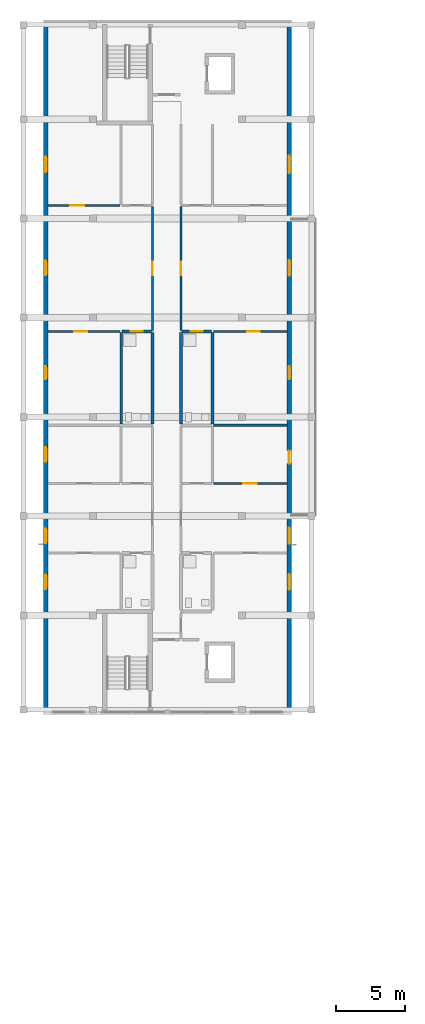
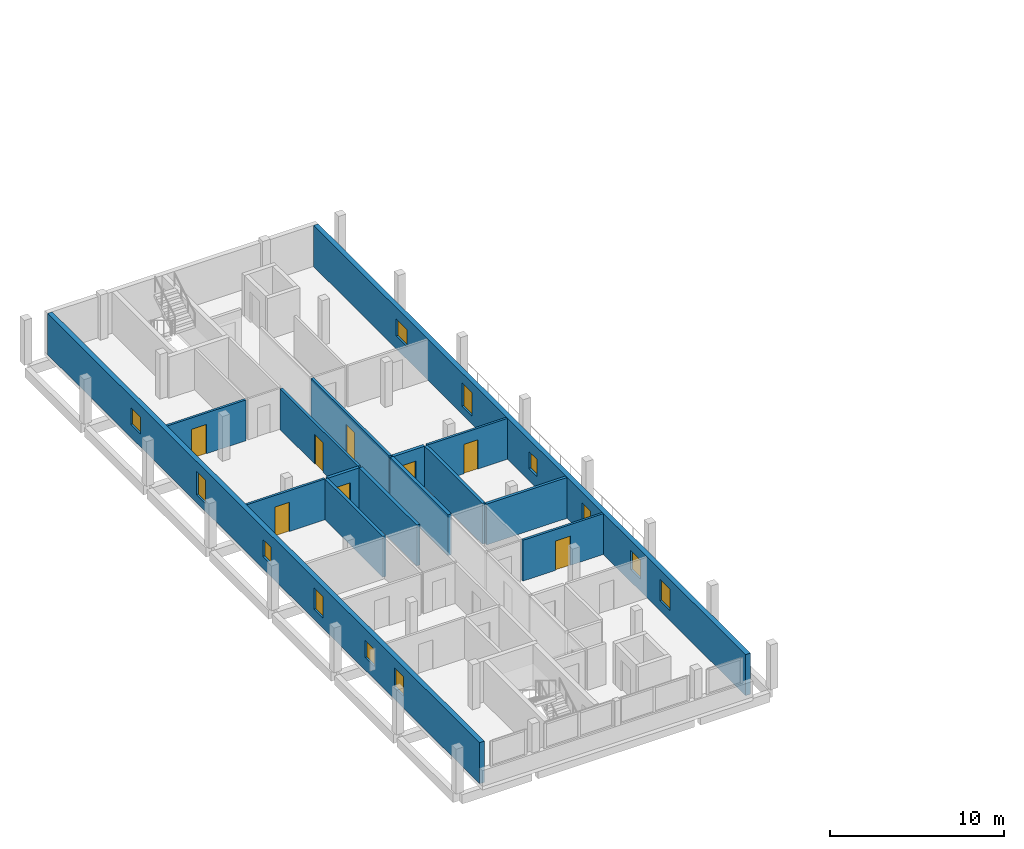
# One storey, part 6 of 16: 15 walls, 11 windows, 9 doors, 20 openings.
"""IFC4 building model written with IfcOpenShell, lengths in metres."""

import ifcopenshell
import ifcopenshell.guid

model = None  # the IFC model being written
_history = None  # IfcOwnerHistory: only IFC2X3 demands one
_inside = {}  # id of a spatial element -> (the spatial element, [elements in it])
_under = {}  # id of a project, library or spatial element -> (it, [spatial elements below it])
_declared = {}  # id of a project -> (the project, [libraries it declares])
_typed = {}  # id of a type object -> (the type object, [elements of that type])
_made_of = {}  # id of a material, layer set ... -> (it, [elements and type objects made of it])


def new_model(schema):
    """Start an empty IFC model of exactly this schema.

    Asked for "IFC4X3", IfcOpenShell would pick the latest addendum, in which some entities
    have other attributes; the version numbers below select the first issue.
    IFC2X3 requires an IfcOwnerHistory on every rooted entity: one is made here for all.
    """
    global model, _history
    if schema == "IFC4X3":
        model = ifcopenshell.file(schema_version=(4, 3, 0, 0))
    else:
        model = ifcopenshell.file(schema=schema)
    _inside.clear()
    _under.clear()
    _declared.clear()
    _typed.clear()
    _made_of.clear()
    _history = None
    if model.schema == "IFC2X3":
        org = make("IfcOrganization", Name="unknown")
        user = make(
            "IfcPersonAndOrganization",
            ThePerson=make("IfcPerson", FamilyName="unknown"),
            TheOrganization=org,
        )
        app = make(
            "IfcApplication",
            ApplicationDeveloper=org,
            Version="unknown",
            ApplicationFullName="unknown",
            ApplicationIdentifier="unknown",
        )
        _history = make(
            "IfcOwnerHistory",
            OwningUser=user,
            OwningApplication=app,
            ChangeAction="ADDED",
            CreationDate=0,
        )
    return model


def make(cls, **values):
    """One entity of the class cls with the attributes given. An attribute that is None is left unset."""
    return model.create_entity(
        cls, **{name: value for name, value in values.items() if value is not None}
    )


def rooted(cls, **values):
    """An entity with a GlobalId (a new one), such as an element, a storey or a relation."""
    return make(cls, GlobalId=ifcopenshell.guid.new(), OwnerHistory=_history, **values)


def si_unit(unit_type, name, prefix=None):
    """IfcSIUnit, for example si_unit("LENGTHUNIT", "METRE", prefix="MILLI")."""
    return make("IfcSIUnit", UnitType=unit_type, Prefix=prefix, Name=name)


def derived_unit(unit_type, elements):
    """IfcDerivedUnit: a product of units, each with its exponent."""
    return make(
        "IfcDerivedUnit",
        Elements=[
            make("IfcDerivedUnitElement", Unit=unit, Exponent=power)
            for unit, power in elements
        ],
        UnitType=unit_type,
    )


def assignment(units):
    """IfcUnitAssignment: the units of a project."""
    return None if units is None else make("IfcUnitAssignment", Units=units)


def point(xyz):
    """IfcCartesianPoint."""
    return None if xyz is None else make("IfcCartesianPoint", Coordinates=xyz)


def direction(xyz):
    """IfcDirection."""
    return None if xyz is None else make("IfcDirection", DirectionRatios=xyz)


def frame(location, z_axis=None, x_axis=None):
    """IfcAxis2Placement3D, a coordinate frame: its origin and axes. An axis left out is left unset."""
    return make(
        "IfcAxis2Placement3D",
        Location=point(location),
        Axis=direction(z_axis),
        RefDirection=direction(x_axis),
    )


def frame_2d(location, x_axis=None):
    """IfcAxis2Placement2D, a coordinate frame in the plane: its origin and x axis."""
    return make(
        "IfcAxis2Placement2D", Location=point(location), RefDirection=direction(x_axis)
    )


def origin():
    """The frame at (0, 0, 0) with its axes left unset."""
    return frame((0.0, 0.0, 0.0))


def place(relative_to, where):
    """IfcLocalPlacement: puts the frame where relative to a parent placement (None: the world)."""
    return make(
        "IfcLocalPlacement", PlacementRelTo=relative_to, RelativePlacement=where
    )


def context(
    kind, dimensions, precision=None, world=None, true_north=None, identifier=None
):
    """IfcGeometricRepresentationContext, for example the 3D "Model" context."""
    return make(
        "IfcGeometricRepresentationContext",
        ContextIdentifier=identifier,
        ContextType=kind,
        CoordinateSpaceDimension=dimensions,
        Precision=precision,
        WorldCoordinateSystem=world,
        TrueNorth=true_north,
    )


def subcontext(parent, identifier, kind, view, scale=None):
    """IfcGeometricRepresentationSubContext, for example "Body" below "Model"."""
    return make(
        "IfcGeometricRepresentationSubContext",
        ContextIdentifier=identifier,
        ContextType=kind,
        ParentContext=parent,
        TargetScale=scale,
        TargetView=view,
    )


def project(units=None, contexts=None):
    """IfcProject with its units and contexts."""
    return rooted(
        "IfcProject",
        Name="project",
        RepresentationContexts=contexts,
        UnitsInContext=assignment(units),
    )


def spatial(cls, under=None, at=None, **own):
    """A site, building, storey or space (cls), placed at a placement, below another one or the project."""
    s = rooted(cls, ObjectPlacement=at, **own)
    if under is not None:
        _under.setdefault(under.id(), (under, []))[1].append(s)
    return s


def profile(cls, at=None, kind="AREA", **sizes):
    """A parametric profile (cls). Its sizes go by their IFC names, for example OverallWidth=200.0."""
    return make(cls, ProfileType=kind, Position=at, **sizes)


def rectangle(**sizes):
    """IfcRectangleProfileDef."""
    return profile("IfcRectangleProfileDef", **sizes)


def extrude(swept, where, along, depth):
    """IfcExtrudedAreaSolid: the profile swept, set in the frame where, extruded along a direction by depth."""
    return make(
        "IfcExtrudedAreaSolid",
        SweptArea=swept,
        Position=where,
        ExtrudedDirection=direction(along),
        Depth=depth,
    )


def shape(context_of_items, identifier, shape_type, items):
    """IfcShapeRepresentation: the items that make up one representation, for example the "Body"."""
    return make(
        "IfcShapeRepresentation",
        ContextOfItems=context_of_items,
        RepresentationIdentifier=identifier,
        RepresentationType=shape_type,
        Items=items,
    )


def material(Name=None, Category=None):
    """IfcMaterial."""
    return make("IfcMaterial", Name=Name, Category=Category)


def layer(
    of_material, thickness, ventilated=None, Name=None, Category=None, Priority=None
):
    """IfcMaterialLayer: one layer of a wall or slab, of a material (None: an air gap)."""
    return make(
        "IfcMaterialLayer",
        Material=of_material,
        LayerThickness=thickness,
        IsVentilated=ventilated,
        Name=Name,
        Category=Category,
        Priority=Priority,
    )


def layer_set(layers, Name=None):
    """IfcMaterialLayerSet."""
    return make("IfcMaterialLayerSet", MaterialLayers=layers, LayerSetName=Name)


def made_of(thing, what):
    """Note that an element or type object is made of a material, layer set ...; save() writes the relation."""
    if what is not None:
        _made_of.setdefault(what.id(), (what, []))[1].append(thing)
    return thing


def type_object(cls, material=None, **own):
    """A type object (cls), such as IfcWallType, which elements share."""
    return made_of(rooted(cls, **own), material)


def element(
    cls,
    number,
    at=None,
    inside=None,
    cuts=None,
    type_object=None,
    material=None,
    context=None,
    identifier="Body",
    shape_type=None,
    held_by="IfcProductDefinitionShape",
    body=None,
    shapes=None,
    **own,
):
    """One element of the class cls, such as IfcWall. Its Tag is "e" and its number.

    at: its placement. inside: the storey or other place that contains it. cuts: it is an
    opening in that element (IfcRelVoidsElement). A single representation is given by context,
    identifier, shape_type and body (its items); several are given by shapes. held_by: the class
    of the entity that holds the representations. save() writes the other relations.
    """
    e = rooted(cls, Tag="e%d" % number, ObjectPlacement=at, **own)
    if body is not None:
        shapes = [shape(context, identifier, shape_type, body)]
    if shapes is not None:
        e.Representation = make(held_by, Representations=shapes)
    if inside is not None:
        _inside.setdefault(inside.id(), (inside, []))[1].append(e)
    if cuts is not None:
        rooted(
            "IfcRelVoidsElement", RelatingBuildingElement=cuts, RelatedOpeningElement=e
        )
    if type_object is not None:
        _typed.setdefault(type_object.id(), (type_object, []))[1].append(e)
    return made_of(e, material)


def fill(opening, filler):
    """IfcRelFillsElement: the door or window that sits in an opening."""
    return rooted(
        "IfcRelFillsElement",
        RelatingOpeningElement=opening,
        RelatedBuildingElement=filler,
    )


def aggregate(whole, parts):
    """IfcRelAggregates: a whole, such as a stair, and the parts it consists of."""
    return rooted("IfcRelAggregates", RelatingObject=whole, RelatedObjects=parts)


def save(model, path):
    """Write the relations noted so far, then the file.

    IfcRelAggregates (storeys below a building ...), IfcRelContainedInSpatialStructure (elements
    in a storey), IfcRelDefinesByType, IfcRelAssociatesMaterial and IfcRelDeclares: one each for
    every whole, place, type object, material and project.
    """
    for whole, parts in _under.values():
        aggregate(whole, parts)
    for where, things in _inside.values():
        rooted(
            "IfcRelContainedInSpatialStructure",
            RelatedElements=things,
            RelatingStructure=where,
        )
    for kind, things in _typed.values():
        rooted("IfcRelDefinesByType", RelatedObjects=things, RelatingType=kind)
    for what, things in _made_of.values():
        rooted("IfcRelAssociatesMaterial", RelatedObjects=things, RelatingMaterial=what)
    for by, libraries in _declared.values():
        rooted("IfcRelDeclares", RelatingContext=by, RelatedDefinitions=libraries)
    model.write(path)


model = new_model("IFC4")

# Units and contexts
model_context = context("Model", 3, precision=1e-05, world=origin(), true_north=direction((0.0, 1.0)))
body_context = subcontext(model_context, "Body", "Model", "MODEL_VIEW")
ifc_project = project(units=[si_unit("LENGTHUNIT", "METRE"), si_unit("AREAUNIT", "SQUARE_METRE"), si_unit("VOLUMEUNIT", "CUBIC_METRE"), si_unit("PLANEANGLEUNIT", "RADIAN"), si_unit("MASSUNIT", "GRAM", prefix="KILO"), derived_unit("THERMALTRANSMITTANCEUNIT", [(si_unit("MASSUNIT", "GRAM", prefix="KILO"), 1), (si_unit("TIMEUNIT", "SECOND"), -3), (si_unit("THERMODYNAMICTEMPERATUREUNIT", "KELVIN"), -1)])], contexts=[model_context])

# Site, building, storey
site_placement = place(None, origin())
site = spatial("IfcSite", under=ifc_project, at=site_placement, CompositionType="ELEMENT")
building_placement = place(site_placement, origin())
building = spatial("IfcBuilding", under=site, at=building_placement, Name="Ochrekiln Boulevard Commons", CompositionType="ELEMENT")
storey_placement = place(building_placement, frame((0.0, 0.0, 40.425048828125)))
storey = spatial("IfcBuildingStorey", under=building, at=storey_placement, Name="L12", CompositionType="ELEMENT", Elevation=40.425048828125)

# Wall, openings, windows
ifc_material_1 = material(Name="Desert ochre clinker brick masonry ASTM C216 Grade SW", Category="masonry")
ifc_layer_1 = layer(ifc_material_1, 0.320068359375)
ifc_layer_set_1 = layer_set([ifc_layer_1], Name="Desert ochre clinker brick masonry ASTM C216 Grade SW")
wall_type_1 = type_object("IfcWallType", Name="WL-EXT-OCHRE-320", PredefinedType="SOLIDWALL", material=ifc_layer_set_1)
wall_1_placement = place(storey_placement, frame((1.9599609375, 68.719970703125, 0.0), z_axis=(0.0, 0.0, 1.0), x_axis=(0.0, 1.0, 0.0)))
wall_1 = element("IfcWall", 1, at=wall_1_placement, inside=storey, type_object=wall_type_1, Name="Block A L12 W Exterior Wall", PredefinedType="SOLIDWALL", context=body_context, shape_type="SweptSolid", body=[
    extrude(rectangle(XDim=49.760009765625, YDim=0.320068359375, at=frame_2d((24.8798828125, 0.0))), origin(), (0.0, 0.0, 1.0), 2.889892578125),
])
opening_1_placement = place(wall_1_placement, frame((12.118896484375, 0.0, 0.89990234375)))
opening_1 = element("IfcOpeningElement", 2, at=opening_1_placement, cuts=wall_1, Name="Opening W-06", PredefinedType="OPENING", context=body_context, shape_type="SweptSolid", body=[
    extrude(rectangle(XDim=1.050048828125, YDim=1.199951171875, at=frame_2d((0.52490234375, 0.60009765625))), frame((0.0, 0.169921875, 0.0), z_axis=(0.0, -1.0, 0.0), x_axis=(1.0, 0.0, 0.0)), (0.0, 0.0, 1.0), 0.340087890625),
])
opening_2_placement = place(wall_1_placement, frame((8.77392578125, 0.0, 0.85498046875)))
opening_2 = element("IfcOpeningElement", 3, at=opening_2_placement, cuts=wall_1, Name="Opening W-07", PredefinedType="OPENING", context=body_context, shape_type="SweptSolid", body=[
    extrude(rectangle(XDim=1.050048828125, YDim=1.35009765625, at=frame_2d((0.52490234375, 0.675048828125))), frame((0.0, 0.169921875, 0.0), z_axis=(0.0, -1.0, 0.0), x_axis=(1.0, 0.0, 0.0)), (0.0, 0.0, 1.0), 0.340087890625),
])
opening_3_placement = place(wall_1_placement, frame((18.02197265625, 0.0, 0.705078125)))
opening_3 = element("IfcOpeningElement", 4, at=opening_3_placement, cuts=wall_1, Name="Opening W-08", PredefinedType="OPENING", context=body_context, shape_type="SweptSolid", body=[
    extrude(rectangle(XDim=1.050048828125, YDim=1.5, at=frame_2d((0.52490234375, 0.75))), frame((0.0, 0.169921875, 0.0), z_axis=(0.0, -1.0, 0.0), x_axis=(1.0, 0.0, 0.0)), (0.0, 0.0, 1.0), 0.340087890625),
])
opening_4_placement = place(wall_1_placement, frame((31.554931640625, 0.0, 0.554931640625)))
opening_4 = element("IfcOpeningElement", 5, at=opening_4_placement, cuts=wall_1, Name="Opening W-09", PredefinedType="OPENING", context=body_context, shape_type="SweptSolid", body=[
    extrude(rectangle(XDim=1.050048828125, YDim=1.64990234375, at=frame_2d((0.52490234375, 0.824951171875))), frame((0.0, 0.169921875, 0.0), z_axis=(0.0, -1.0, 0.0), x_axis=(1.0, 0.0, 0.0)), (0.0, 0.0, 1.0), 0.340087890625),
])
opening_5_placement = place(wall_1_placement, frame((24.001953125, 0.0, 0.85009765625)))
opening_5 = element("IfcOpeningElement", 6, at=opening_5_placement, cuts=wall_1, Name="Opening W-01", PredefinedType="OPENING", context=body_context, shape_type="SweptSolid", body=[
    extrude(rectangle(XDim=0.949951171875, YDim=1.199951171875, at=frame_2d((0.47509765625, 0.60009765625))), frame((0.0, 0.169921875, 0.0), z_axis=(0.0, -1.0, 0.0), x_axis=(1.0, 0.0, 0.0)), (0.0, 0.0, 1.0), 0.340087890625),
])
opening_6_placement = place(wall_1_placement, frame((39.02001953125, 0.0, 0.89990234375)))
opening_6 = element("IfcOpeningElement", 7, at=opening_6_placement, cuts=wall_1, Name="Opening W-11", PredefinedType="OPENING", context=body_context, shape_type="SweptSolid", body=[
    extrude(rectangle(XDim=1.14990234375, YDim=1.199951171875, at=frame_2d((0.574951171875, 0.60009765625))), frame((0.0, 0.169921875, 0.0), z_axis=(0.0, -1.0, 0.0), x_axis=(1.0, 0.0, 0.0)), (0.0, 0.0, 1.0), 0.340087890625),
])
ifc_material_2 = material(Name="Thermally broken aluminium-clad oak frame", Category="aluminium")
window_type_1 = type_object("IfcWindowType", Name="WIN-EXT-01", PartitioningType="SINGLE_PANEL", PredefinedType="WINDOW", material=ifc_material_2)
window_1_placement = place(opening_5_placement, origin())
window_1 = element("IfcWindow", 8, at=window_1_placement, inside=storey, type_object=window_type_1, Name="Block A L12 Punched Masonry Window W-01", OverallHeight=1.199951171875, OverallWidth=0.949951171875, PartitioningType="SINGLE_PANEL", PredefinedType="WINDOW", context=body_context, shape_type="SweptSolid", body=[
    extrude(rectangle(XDim=0.949951171875, YDim=1.199951171875, at=frame_2d((0.47509765625, 0.60009765625))), frame((0.0, 0.030029296875, 0.0), z_axis=(0.0, -1.0, 0.0), x_axis=(1.0, 0.0, 0.0)), (0.0, 0.0, 1.0), 0.06005859375),
])
fill(opening_5, window_1)
window_type_2 = type_object("IfcWindowType", Name="WIN-EXT-06", PartitioningType="SINGLE_PANEL", PredefinedType="WINDOW", material=ifc_material_2)
window_2_placement = place(opening_1_placement, origin())
window_2 = element("IfcWindow", 9, at=window_2_placement, inside=storey, type_object=window_type_2, Name="Block A L12 Punched Masonry Window W-06", OverallHeight=1.199951171875, OverallWidth=1.050048828125, PartitioningType="SINGLE_PANEL", PredefinedType="WINDOW", context=body_context, shape_type="SweptSolid", body=[
    extrude(rectangle(XDim=1.050048828125, YDim=1.199951171875, at=frame_2d((0.52490234375, 0.60009765625))), frame((0.0, 0.030029296875, 0.0), z_axis=(0.0, -1.0, 0.0), x_axis=(1.0, 0.0, 0.0)), (0.0, 0.0, 1.0), 0.06005859375),
])
fill(opening_1, window_2)
window_type_3 = type_object("IfcWindowType", Name="WIN-EXT-07", PartitioningType="SINGLE_PANEL", PredefinedType="WINDOW", material=ifc_material_2)
window_3_placement = place(opening_2_placement, origin())
window_3 = element("IfcWindow", 10, at=window_3_placement, inside=storey, type_object=window_type_3, Name="Block A L12 Punched Masonry Window W-07", OverallHeight=1.35009765625, OverallWidth=1.050048828125, PartitioningType="SINGLE_PANEL", PredefinedType="WINDOW", context=body_context, shape_type="SweptSolid", body=[
    extrude(rectangle(XDim=1.050048828125, YDim=1.35009765625, at=frame_2d((0.52490234375, 0.675048828125))), frame((0.0, 0.030029296875, 0.0), z_axis=(0.0, -1.0, 0.0), x_axis=(1.0, 0.0, 0.0)), (0.0, 0.0, 1.0), 0.06005859375),
])
fill(opening_2, window_3)
window_type_4 = type_object("IfcWindowType", Name="WIN-EXT-08", PartitioningType="SINGLE_PANEL", PredefinedType="WINDOW", material=ifc_material_2)
window_4_placement = place(opening_3_placement, origin())
window_4 = element("IfcWindow", 11, at=window_4_placement, inside=storey, type_object=window_type_4, Name="Block A L12 Punched Masonry Window W-08", OverallHeight=1.5, OverallWidth=1.050048828125, PartitioningType="SINGLE_PANEL", PredefinedType="WINDOW", context=body_context, shape_type="SweptSolid", body=[
    extrude(rectangle(XDim=1.050048828125, YDim=1.5, at=frame_2d((0.52490234375, 0.75))), frame((0.0, 0.030029296875, 0.0), z_axis=(0.0, -1.0, 0.0), x_axis=(1.0, 0.0, 0.0)), (0.0, 0.0, 1.0), 0.06005859375),
])
fill(opening_3, window_4)
window_type_5 = type_object("IfcWindowType", Name="WIN-EXT-09", PartitioningType="SINGLE_PANEL", PredefinedType="WINDOW", material=ifc_material_2)
window_5_placement = place(opening_4_placement, origin())
window_5 = element("IfcWindow", 12, at=window_5_placement, inside=storey, type_object=window_type_5, Name="Block A L12 Punched Masonry Window W-09", OverallHeight=1.64990234375, OverallWidth=1.050048828125, PartitioningType="SINGLE_PANEL", PredefinedType="WINDOW", context=body_context, shape_type="SweptSolid", body=[
    extrude(rectangle(XDim=1.050048828125, YDim=1.64990234375, at=frame_2d((0.52490234375, 0.824951171875))), frame((0.0, 0.030029296875, 0.0), z_axis=(0.0, -1.0, 0.0), x_axis=(1.0, 0.0, 0.0)), (0.0, 0.0, 1.0), 0.06005859375),
])
fill(opening_4, window_5)
window_type_6 = type_object("IfcWindowType", Name="WIN-EXT-11", PartitioningType="SINGLE_PANEL", PredefinedType="WINDOW", material=ifc_material_2)
window_6_placement = place(opening_6_placement, origin())
window_6 = element("IfcWindow", 13, at=window_6_placement, inside=storey, type_object=window_type_6, Name="Block A L12 Punched Masonry Window W-11", OverallHeight=1.199951171875, OverallWidth=1.14990234375, PartitioningType="SINGLE_PANEL", PredefinedType="WINDOW", context=body_context, shape_type="SweptSolid", body=[
    extrude(rectangle(XDim=1.14990234375, YDim=1.199951171875, at=frame_2d((0.574951171875, 0.60009765625))), frame((0.0, 0.030029296875, 0.0), z_axis=(0.0, -1.0, 0.0), x_axis=(1.0, 0.0, 0.0)), (0.0, 0.0, 1.0), 0.06005859375),
])
fill(opening_6, window_6)

# Wall, openings, door, windows
wall_2_placement = place(storey_placement, frame((19.639892578125, 68.719970703125, 0.0), z_axis=(0.0, 0.0, 1.0), x_axis=(0.0, 1.0, 0.0)))
wall_2 = element("IfcWall", 14, at=wall_2_placement, inside=storey, type_object=wall_type_1, Name="Block A L12 E Exterior Wall", PredefinedType="SOLIDWALL", context=body_context, shape_type="SweptSolid", body=[
    extrude(rectangle(XDim=49.760009765625, YDim=0.320068359375, at=frame_2d((24.8798828125, 0.0))), origin(), (0.0, 0.0, 1.0), 2.889892578125),
])
opening_7_placement = place(wall_2_placement, frame((12.069091796875, 0.0, 0.85498046875)))
opening_7 = element("IfcOpeningElement", 15, at=opening_7_placement, cuts=wall_2, Name="Opening W-12", PredefinedType="OPENING", context=body_context, shape_type="SweptSolid", body=[
    extrude(rectangle(XDim=1.14990234375, YDim=1.35009765625, at=frame_2d((0.574951171875, 0.675048828125))), frame((0.0, 0.169921875, 0.0), z_axis=(0.0, -1.0, 0.0), x_axis=(1.0, 0.0, 0.0)), (0.0, 0.0, 1.0), 0.340087890625),
])
opening_8_placement = place(wall_2_placement, frame((8.72412109375, 0.0, 0.705078125)))
opening_8 = element("IfcOpeningElement", 16, at=opening_8_placement, cuts=wall_2, Name="Opening W-13", PredefinedType="OPENING", context=body_context, shape_type="SweptSolid", body=[
    extrude(rectangle(XDim=1.14990234375, YDim=1.5, at=frame_2d((0.574951171875, 0.75))), frame((0.0, 0.169921875, 0.0), z_axis=(0.0, -1.0, 0.0), x_axis=(1.0, 0.0, 0.0)), (0.0, 0.0, 1.0), 0.340087890625),
])
opening_9_placement = place(wall_2_placement, frame((17.87890625, 0.0, 0.0)))
opening_9 = element("IfcOpeningElement", 17, at=opening_9_placement, cuts=wall_2, Name="Opening D-L12-BL017", PredefinedType="OPENING", context=body_context, shape_type="SweptSolid", body=[
    extrude(rectangle(XDim=0.949951171875, YDim=2.14990234375, at=frame_2d((0.47509765625, 1.074951171875))), frame((0.0, 0.169921875, 0.0), z_axis=(0.0, -1.0, 0.0), x_axis=(1.0, 0.0, 0.0)), (0.0, 0.0, 1.0), 0.340087890625),
])
opening_10_placement = place(wall_2_placement, frame((31.5048828125, 0.0, 0.554931640625)))
opening_10 = element("IfcOpeningElement", 18, at=opening_10_placement, cuts=wall_2, Name="Opening W-14", PredefinedType="OPENING", context=body_context, shape_type="SweptSolid", body=[
    extrude(rectangle(XDim=1.14990234375, YDim=1.64990234375, at=frame_2d((0.574951171875, 0.824951171875))), frame((0.0, 0.169921875, 0.0), z_axis=(0.0, -1.0, 0.0), x_axis=(1.0, 0.0, 0.0)), (0.0, 0.0, 1.0), 0.340087890625),
])
opening_11_placement = place(wall_2_placement, frame((24.001953125, 0.0, 0.85009765625)))
opening_11 = element("IfcOpeningElement", 19, at=opening_11_placement, cuts=wall_2, Name="Opening W-01", PredefinedType="OPENING", context=body_context, shape_type="SweptSolid", body=[
    extrude(rectangle(XDim=0.949951171875, YDim=1.199951171875, at=frame_2d((0.47509765625, 0.60009765625))), frame((0.0, 0.169921875, 0.0), z_axis=(0.0, -1.0, 0.0), x_axis=(1.0, 0.0, 0.0)), (0.0, 0.0, 1.0), 0.340087890625),
])
opening_12_placement = place(wall_2_placement, frame((38.969970703125, 0.0, 0.89990234375)))
opening_12 = element("IfcOpeningElement", 20, at=opening_12_placement, cuts=wall_2, Name="Opening W-16", PredefinedType="OPENING", context=body_context, shape_type="SweptSolid", body=[
    extrude(rectangle(XDim=1.25, YDim=1.199951171875, at=frame_2d((0.625, 0.60009765625))), frame((0.0, 0.169921875, 0.0), z_axis=(0.0, -1.0, 0.0), x_axis=(1.0, 0.0, 0.0)), (0.0, 0.0, 1.0), 0.340087890625),
])
door_type_1 = type_object("IfcDoorType", Name="DR-EXT-BAL-095", OperationType="NOTDEFINED", PredefinedType="DOOR", material=ifc_material_2)
door_1_placement = place(opening_9_placement, frame((0.949951171875, 0.0, 0.0), z_axis=(0.0, 0.0, 1.0), x_axis=(-1.0, 0.0, 0.0)))
door_1 = element("IfcDoor", 21, at=door_1_placement, inside=storey, type_object=door_type_1, Name="Block A L12 Glazed Balcony Patio Door", OperationType="SINGLE_SWING_RIGHT", OverallHeight=2.14990234375, OverallWidth=0.949951171875, PredefinedType="DOOR", context=body_context, shape_type="SweptSolid", body=[
    extrude(rectangle(XDim=0.949951171875, YDim=2.14990234375, at=frame_2d((0.47509765625, 1.074951171875))), frame((0.0, 0.02490234375, 0.0), z_axis=(0.0, -1.0, 0.0), x_axis=(1.0, 0.0, 0.0)), (0.0, 0.0, 1.0), 0.050048828125),
])
fill(opening_9, door_1)
window_7_placement = place(opening_11_placement, origin())
window_7 = element("IfcWindow", 22, at=window_7_placement, inside=storey, type_object=window_type_1, Name="Block A L12 Punched Masonry Window W-01", OverallHeight=1.199951171875, OverallWidth=0.949951171875, PartitioningType="SINGLE_PANEL", PredefinedType="WINDOW", context=body_context, shape_type="SweptSolid", body=[
    extrude(rectangle(XDim=0.949951171875, YDim=1.199951171875, at=frame_2d((0.47509765625, 0.60009765625))), frame((0.0, 0.030029296875, 0.0), z_axis=(0.0, -1.0, 0.0), x_axis=(1.0, 0.0, 0.0)), (0.0, 0.0, 1.0), 0.06005859375),
])
fill(opening_11, window_7)
window_type_7 = type_object("IfcWindowType", Name="WIN-EXT-12", PartitioningType="SINGLE_PANEL", PredefinedType="WINDOW", material=ifc_material_2)
window_8_placement = place(opening_7_placement, origin())
window_8 = element("IfcWindow", 23, at=window_8_placement, inside=storey, type_object=window_type_7, Name="Block A L12 Punched Masonry Window W-12", OverallHeight=1.35009765625, OverallWidth=1.14990234375, PartitioningType="SINGLE_PANEL", PredefinedType="WINDOW", context=body_context, shape_type="SweptSolid", body=[
    extrude(rectangle(XDim=1.14990234375, YDim=1.35009765625, at=frame_2d((0.574951171875, 0.675048828125))), frame((0.0, 0.030029296875, 0.0), z_axis=(0.0, -1.0, 0.0), x_axis=(1.0, 0.0, 0.0)), (0.0, 0.0, 1.0), 0.06005859375),
])
fill(opening_7, window_8)
window_type_8 = type_object("IfcWindowType", Name="WIN-EXT-13", PartitioningType="SINGLE_PANEL", PredefinedType="WINDOW", material=ifc_material_2)
window_9_placement = place(opening_8_placement, origin())
window_9 = element("IfcWindow", 24, at=window_9_placement, inside=storey, type_object=window_type_8, Name="Block A L12 Punched Masonry Window W-13", OverallHeight=1.5, OverallWidth=1.14990234375, PartitioningType="SINGLE_PANEL", PredefinedType="WINDOW", context=body_context, shape_type="SweptSolid", body=[
    extrude(rectangle(XDim=1.14990234375, YDim=1.5, at=frame_2d((0.574951171875, 0.75))), frame((0.0, 0.030029296875, 0.0), z_axis=(0.0, -1.0, 0.0), x_axis=(1.0, 0.0, 0.0)), (0.0, 0.0, 1.0), 0.06005859375),
])
fill(opening_8, window_9)
window_type_9 = type_object("IfcWindowType", Name="WIN-EXT-14", PartitioningType="SINGLE_PANEL", PredefinedType="WINDOW", material=ifc_material_2)
window_10_placement = place(opening_10_placement, origin())
window_10 = element("IfcWindow", 25, at=window_10_placement, inside=storey, type_object=window_type_9, Name="Block A L12 Punched Masonry Window W-14", OverallHeight=1.64990234375, OverallWidth=1.14990234375, PartitioningType="SINGLE_PANEL", PredefinedType="WINDOW", context=body_context, shape_type="SweptSolid", body=[
    extrude(rectangle(XDim=1.14990234375, YDim=1.64990234375, at=frame_2d((0.574951171875, 0.824951171875))), frame((0.0, 0.030029296875, 0.0), z_axis=(0.0, -1.0, 0.0), x_axis=(1.0, 0.0, 0.0)), (0.0, 0.0, 1.0), 0.06005859375),
])
fill(opening_10, window_10)
window_type_10 = type_object("IfcWindowType", Name="WIN-EXT-16", PartitioningType="SINGLE_PANEL", PredefinedType="WINDOW", material=ifc_material_2)
window_11_placement = place(opening_12_placement, origin())
window_11 = element("IfcWindow", 26, at=window_11_placement, inside=storey, type_object=window_type_10, Name="Block A L12 Punched Masonry Window W-16", OverallHeight=1.199951171875, OverallWidth=1.25, PartitioningType="SINGLE_PANEL", PredefinedType="WINDOW", context=body_context, shape_type="SweptSolid", body=[
    extrude(rectangle(XDim=1.25, YDim=1.199951171875, at=frame_2d((0.625, 0.60009765625))), frame((0.0, 0.030029296875, 0.0), z_axis=(0.0, -1.0, 0.0), x_axis=(1.0, 0.0, 0.0)), (0.0, 0.0, 1.0), 0.06005859375),
])
fill(opening_12, window_11)

# Wall, opening, door
ifc_material_3 = material(Name="Moisture-resistant cementitious tile backer wall")
ifc_layer_2 = layer(ifc_material_3, 0.199951171875)
ifc_layer_set_2 = layer_set([ifc_layer_2], Name="Moisture-resistant cementitious tile backer wall")
wall_type_2 = type_object("IfcWallType", Name="WL-PLM-200", PredefinedType="PLUMBINGWALL", material=ifc_layer_set_2)
wall_3_placement = place(storey_placement, frame((7.52001953125, 96.2041015625, 0.0), z_axis=(0.0, 0.0, 1.0), x_axis=(1.0, 0.0, 0.0)))
wall_3 = element("IfcWall", 27, at=wall_3_placement, inside=storey, type_object=wall_type_2, Name="L12 Interior Wall W-PW200", PredefinedType="PLUMBINGWALL", context=body_context, shape_type="SweptSolid", body=[
    extrude(rectangle(XDim=2.10791015625, YDim=0.199951171875, at=frame_2d((1.053955078125, 0.0))), origin(), (0.0, 0.0, 1.0), 2.869873046875),
])
opening_13_placement = place(wall_3_placement, frame((0.60498046875, 0.0, 0.0)))
opening_13 = element("IfcOpeningElement", 28, at=opening_13_placement, cuts=wall_3, Name="Opening D-L12-1302", PredefinedType="OPENING", context=body_context, shape_type="SweptSolid", body=[
    extrude(rectangle(XDim=0.889892578125, YDim=2.030029296875, at=frame_2d((0.44482421875, 1.01513671875))), frame((0.0, 0.10986328125, 0.0), z_axis=(0.0, -1.0, 0.0), x_axis=(1.0, 0.0, 0.0)), (0.0, 0.0, 1.0), 0.219970703125),
])
ifc_material_4 = material(Name="Solid core architectural oak door leaf")
door_type_2 = type_object("IfcDoorType", Name="DR-INT-BTH-089", OperationType="NOTDEFINED", PredefinedType="DOOR", material=ifc_material_4)
door_2_placement = place(opening_13_placement, frame((0.889892578125, 0.0, 0.0), z_axis=(0.0, 0.0, 1.0), x_axis=(-1.0, 0.0, 0.0)))
door_2 = element("IfcDoor", 29, at=door_2_placement, inside=storey, type_object=door_type_2, Name="L12 Interior Door to Apartment Bathroom", OperationType="SINGLE_SWING_RIGHT", OverallHeight=2.030029296875, OverallWidth=0.889892578125, PredefinedType="DOOR", context=body_context, shape_type="SweptSolid", body=[
    extrude(rectangle(XDim=0.889892578125, YDim=2.030029296875, at=frame_2d((0.44482421875, 1.01513671875))), frame((0.0, 0.02490234375, 0.0), z_axis=(0.0, -1.0, 0.0), x_axis=(1.0, 0.0, 0.0)), (0.0, 0.0, 1.0), 0.050048828125),
])
fill(opening_13, door_2)

# Wall
wall_4_placement = place(storey_placement, frame((7.43994140625, 89.466064453125, 0.0), z_axis=(0.0, 0.0, 1.0), x_axis=(0.0, 1.0, 0.0)))
element("IfcWall", 30, at=wall_4_placement, inside=storey, type_object=wall_type_2, Name="L12 Interior Wall W-PW200", PredefinedType="PLUMBINGWALL", context=body_context, shape_type="SweptSolid", body=[
    extrude(rectangle(XDim=6.657958984375, YDim=0.199951171875, at=frame_2d((3.3291015625, 0.0))), origin(), (0.0, 0.0, 1.0), 2.869873046875),
])

# Wall, opening, door
wall_5_placement = place(storey_placement, frame((11.8720703125, 96.2041015625, 0.0), z_axis=(0.0, 0.0, 1.0), x_axis=(1.0, 0.0, 0.0)))
wall_5 = element("IfcWall", 31, at=wall_5_placement, inside=storey, type_object=wall_type_2, Name="L12 Interior Wall W-PW200", PredefinedType="PLUMBINGWALL", context=body_context, shape_type="SweptSolid", body=[
    extrude(rectangle(XDim=2.10791015625, YDim=0.199951171875, at=frame_2d((1.053955078125, 0.0))), origin(), (0.0, 0.0, 1.0), 2.869873046875),
])
opening_14_placement = place(wall_5_placement, frame((0.613037109375, 0.0, 0.0)))
opening_14 = element("IfcOpeningElement", 32, at=opening_14_placement, cuts=wall_5, Name="Opening D-L12-1310", PredefinedType="OPENING", context=body_context, shape_type="SweptSolid", body=[
    extrude(rectangle(XDim=0.889892578125, YDim=2.030029296875, at=frame_2d((0.44482421875, 1.01513671875))), frame((0.0, 0.10986328125, 0.0), z_axis=(0.0, -1.0, 0.0), x_axis=(1.0, 0.0, 0.0)), (0.0, 0.0, 1.0), 0.219970703125),
])
door_3_placement = place(opening_14_placement, frame((0.889892578125, 0.0, 0.0), z_axis=(0.0, 0.0, 1.0), x_axis=(-1.0, 0.0, 0.0)))
door_3 = element("IfcDoor", 33, at=door_3_placement, inside=storey, type_object=door_type_2, Name="L12 Interior Door to Apartment Bathroom", OperationType="SINGLE_SWING_RIGHT", OverallHeight=2.030029296875, OverallWidth=0.889892578125, PredefinedType="DOOR", context=body_context, shape_type="SweptSolid", body=[
    extrude(rectangle(XDim=0.889892578125, YDim=2.030029296875, at=frame_2d((0.44482421875, 1.01513671875))), frame((0.0, 0.02490234375, 0.0), z_axis=(0.0, -1.0, 0.0), x_axis=(1.0, 0.0, 0.0)), (0.0, 0.0, 1.0), 0.050048828125),
])
fill(opening_14, door_3)

# Walls
wall_6_placement = place(storey_placement, frame((14.06005859375, 89.466064453125, 0.0), z_axis=(0.0, 0.0, 1.0), x_axis=(0.0, 1.0, 0.0)))
element("IfcWall", 34, at=wall_6_placement, inside=storey, type_object=wall_type_2, Name="L12 Interior Wall W-PW200", PredefinedType="PLUMBINGWALL", context=body_context, shape_type="SweptSolid", body=[
    extrude(rectangle(XDim=6.657958984375, YDim=0.199951171875, at=frame_2d((3.3291015625, 0.0))), origin(), (0.0, 0.0, 1.0), 2.869873046875),
])
ifc_layer_3 = layer(ifc_material_3, 0.219970703125)
ifc_layer_set_3 = layer_set([ifc_layer_3], Name="Moisture-resistant cementitious tile backer wall")
wall_type_3 = type_object("IfcWallType", Name="WL-PLM-220", PredefinedType="PLUMBINGWALL", material=ifc_layer_set_3)
for number, where, z_axis, x_axis, name in (
    (35, (9.7099609375, 89.466064453125, 0.0), (0.0, 0.0, 1.0), (0.0, 1.0, 0.0), "L12 Interior Wall W-PW220"),
    (36, (11.7900390625, 89.466064453125, 0.0), (0.0, 0.0, 1.0), (0.0, 1.0, 0.0), "L12 Interior Wall W-PW220"),
):
    element("IfcWall", number, at=place(storey_placement, frame(where, z_axis=z_axis, x_axis=x_axis)), inside=storey, type_object=wall_type_3, Name=name, PredefinedType="PLUMBINGWALL", context=body_context, shape_type="SweptSolid", body=[
        extrude(rectangle(XDim=6.657958984375, YDim=0.219970703125, at=frame_2d((3.3291015625, 0.0))), origin(), (0.0, 0.0, 1.0), 2.869873046875),
    ])

# Wall, opening, door
ifc_material_5 = material(Name="Fire-rated Type X gypsum board on steel studs", Category="steel")
ifc_layer_4 = layer(ifc_material_5, 0.1650390625)
ifc_layer_set_4 = layer_set([ifc_layer_4], Name="Fire-rated Type X gypsum board on steel studs")
wall_type_4 = type_object("IfcWallType", Name="WL-PT-CORR-165", PredefinedType="PARTITIONING", material=ifc_layer_set_4)
wall_7_placement = place(storey_placement, frame((9.7099609375, 96.283935546875, 0.0), z_axis=(0.0, 0.0, 1.0), x_axis=(0.0, 1.0, 0.0)))
wall_7 = element("IfcWall", 37, at=wall_7_placement, inside=storey, type_object=wall_type_4, Name="L12 Interior Wall W-PC165", PredefinedType="PARTITIONING", context=body_context, shape_type="SweptSolid", body=[
    extrude(rectangle(XDim=8.986083984375, YDim=0.1650390625, at=frame_2d((4.4931640625, 0.0))), origin(), (0.0, 0.0, 1.0), 2.869873046875),
])
opening_15_placement = place(wall_7_placement, frame((4.0029296875, 0.0, 0.0)))
opening_15 = element("IfcOpeningElement", 38, at=opening_15_placement, cuts=wall_7, Name="Opening D-L12-1295", PredefinedType="OPENING", context=body_context, shape_type="SweptSolid", body=[
    extrude(rectangle(XDim=0.97998046875, YDim=2.080078125, at=frame_2d((0.489990234375, 1.0400390625))), frame((0.0, 0.092529296875, 0.0), z_axis=(0.0, -1.0, 0.0), x_axis=(1.0, 0.0, 0.0)), (0.0, 0.0, 1.0), 0.18505859375),
])
door_type_3 = type_object("IfcDoorType", Name="DR-APT-60", OperationType="NOTDEFINED", PredefinedType="DOOR", material=ifc_material_4)
door_4_placement = place(opening_15_placement, origin())
door_4 = element("IfcDoor", 39, at=door_4_placement, inside=storey, type_object=door_type_3, Name="L12 Interior Door to Two-Bedroom Apartment Living Room", OperationType="SINGLE_SWING_LEFT", OverallHeight=2.080078125, OverallWidth=0.97998046875, PredefinedType="DOOR", context=body_context, shape_type="SweptSolid", body=[
    extrude(rectangle(XDim=0.97998046875, YDim=2.080078125, at=frame_2d((0.489990234375, 1.0400390625))), frame((0.0, 0.02490234375, 0.0), z_axis=(0.0, -1.0, 0.0), x_axis=(1.0, 0.0, 0.0)), (0.0, 0.0, 1.0), 0.050048828125),
])
fill(opening_15, door_4)

wall_8_placement = place(storey_placement, frame((11.7900390625, 96.283935546875, 0.0), z_axis=(0.0, 0.0, 1.0), x_axis=(0.0, 1.0, 0.0)))
wall_8 = element("IfcWall", 40, at=wall_8_placement, inside=storey, type_object=wall_type_4, Name="L12 Interior Wall W-PC165", PredefinedType="PARTITIONING", context=body_context, shape_type="SweptSolid", body=[
    extrude(rectangle(XDim=8.986083984375, YDim=0.1650390625, at=frame_2d((4.4931640625, 0.0))), origin(), (0.0, 0.0, 1.0), 2.869873046875),
])
opening_16_placement = place(wall_8_placement, frame((4.0029296875, 0.0, 0.0)))
opening_16 = element("IfcOpeningElement", 41, at=opening_16_placement, cuts=wall_8, Name="Opening D-L12-1297", PredefinedType="OPENING", context=body_context, shape_type="SweptSolid", body=[
    extrude(rectangle(XDim=0.97998046875, YDim=2.080078125, at=frame_2d((0.489990234375, 1.0400390625))), frame((0.0, 0.092529296875, 0.0), z_axis=(0.0, -1.0, 0.0), x_axis=(1.0, 0.0, 0.0)), (0.0, 0.0, 1.0), 0.18505859375),
])
door_5_placement = place(opening_16_placement, frame((0.97998046875, 0.0, 0.0), z_axis=(0.0, 0.0, 1.0), x_axis=(-1.0, 0.0, 0.0)))
door_5 = element("IfcDoor", 42, at=door_5_placement, inside=storey, type_object=door_type_3, Name="L12 Interior Door to Two-Bedroom Apartment Living Room", OperationType="SINGLE_SWING_LEFT", OverallHeight=2.080078125, OverallWidth=0.97998046875, PredefinedType="DOOR", context=body_context, shape_type="SweptSolid", body=[
    extrude(rectangle(XDim=0.97998046875, YDim=2.080078125, at=frame_2d((0.489990234375, 1.0400390625))), frame((0.0, 0.02490234375, 0.0), z_axis=(0.0, -1.0, 0.0), x_axis=(1.0, 0.0, 0.0)), (0.0, 0.0, 1.0), 0.050048828125),
])
fill(opening_16, door_5)

# Wall
ifc_layer_5 = layer(ifc_material_5, 0.179931640625)
ifc_layer_set_5 = layer_set([ifc_layer_5], Name="Fire-rated Type X gypsum board on steel studs")
wall_type_5 = type_object("IfcWallType", Name="WL-PT-DEM-180", PredefinedType="PARTITIONING", material=ifc_layer_set_5)
wall_9_placement = place(storey_placement, frame((14.135009765625, 89.3759765625, 0.0), z_axis=(0.0, 0.0, 1.0), x_axis=(1.0, 0.0, 0.0)))
element("IfcWall", 43, at=wall_9_placement, inside=storey, type_object=wall_type_5, Name="L12 Interior Wall W-PD180", PredefinedType="PARTITIONING", context=body_context, shape_type="SweptSolid", body=[
    extrude(rectangle(XDim=5.344970703125, YDim=0.179931640625, at=frame_2d((2.67236328125, 0.0))), origin(), (0.0, 0.0, 1.0), 2.869873046875),
])

# Wall, opening, door
ifc_layer_6 = layer(ifc_material_5, 0.14990234375)
ifc_layer_set_6 = layer_set([ifc_layer_6], Name="Fire-rated Type X gypsum board on steel studs")
wall_type_6 = type_object("IfcWallType", Name="WL-PT-STD-150", PredefinedType="PARTITIONING", material=ifc_layer_set_6)
wall_10_placement = place(storey_placement, frame((2.1201171875, 96.2041015625, 0.0), z_axis=(0.0, 0.0, 1.0), x_axis=(1.0, 0.0, 0.0)))
wall_10 = element("IfcWall", 44, at=wall_10_placement, inside=storey, type_object=wall_type_6, Name="L12 Interior Wall W-PS150", PredefinedType="PARTITIONING", context=body_context, shape_type="SweptSolid", body=[
    extrude(rectangle(XDim=5.239990234375, YDim=0.14990234375, at=frame_2d((2.6201171875, 0.0))), origin(), (0.0, 0.0, 1.0), 2.869873046875),
])
opening_17_placement = place(wall_10_placement, frame((1.9150390625, 0.0, 0.0)))
opening_17 = element("IfcOpeningElement", 45, at=opening_17_placement, cuts=wall_10, Name="Opening D-L12-1304", PredefinedType="OPENING", context=body_context, shape_type="SweptSolid", body=[
    extrude(rectangle(XDim=0.93994140625, YDim=2.06005859375, at=frame_2d((0.469970703125, 1.030029296875))), frame((0.0, 0.0849609375, 0.0), z_axis=(0.0, -1.0, 0.0), x_axis=(1.0, 0.0, 0.0)), (0.0, 0.0, 1.0), 0.169921875),
])
door_type_4 = type_object("IfcDoorType", Name="DR-INT-BED-094", OperationType="NOTDEFINED", PredefinedType="DOOR", material=ifc_material_4)
door_6_placement = place(opening_17_placement, frame((0.93994140625, 0.0, 0.0), z_axis=(0.0, 0.0, 1.0), x_axis=(-1.0, 0.0, 0.0)))
door_6 = element("IfcDoor", 46, at=door_6_placement, inside=storey, type_object=door_type_4, Name="L12 Interior Door to Primary Apartment Bedroom", OperationType="SINGLE_SWING_RIGHT", OverallHeight=2.06005859375, OverallWidth=0.93994140625, PredefinedType="DOOR", context=body_context, shape_type="SweptSolid", body=[
    extrude(rectangle(XDim=0.93994140625, YDim=2.06005859375, at=frame_2d((0.469970703125, 1.030029296875))), frame((0.0, 0.02490234375, 0.0), z_axis=(0.0, -1.0, 0.0), x_axis=(1.0, 0.0, 0.0)), (0.0, 0.0, 1.0), 0.050048828125),
])
fill(opening_17, door_6)

wall_11_placement = place(storey_placement, frame((2.1201171875, 105.35009765625, 0.0), z_axis=(0.0, 0.0, 1.0), x_axis=(1.0, 0.0, 0.0)))
wall_11 = element("IfcWall", 47, at=wall_11_placement, inside=storey, type_object=wall_type_6, Name="L12 Interior Wall W-PS150", PredefinedType="PARTITIONING", context=body_context, shape_type="SweptSolid", body=[
    extrude(rectangle(XDim=5.239990234375, YDim=0.14990234375, at=frame_2d((2.6201171875, 0.0))), origin(), (0.0, 0.0, 1.0), 2.869873046875),
])
opening_18_placement = place(wall_11_placement, frame((1.635009765625, 0.0, 0.0)))
opening_18 = element("IfcOpeningElement", 48, at=opening_18_placement, cuts=wall_11, Name="Opening D-L12-1305", PredefinedType="OPENING", context=body_context, shape_type="SweptSolid", body=[
    extrude(rectangle(XDim=1.0, YDim=2.06005859375, at=frame_2d((0.5, 1.030029296875))), frame((0.0, 0.0849609375, 0.0), z_axis=(0.0, -1.0, 0.0), x_axis=(1.0, 0.0, 0.0)), (0.0, 0.0, 1.0), 0.169921875),
])
door_type_5 = type_object("IfcDoorType", Name="DR-INT-BED-100", OperationType="NOTDEFINED", PredefinedType="DOOR", material=ifc_material_4)
door_7_placement = place(opening_18_placement, origin())
door_7 = element("IfcDoor", 49, at=door_7_placement, inside=storey, type_object=door_type_5, Name="L12 Interior Door to Secondary Apartment Bedroom", OperationType="SINGLE_SWING_LEFT", OverallHeight=2.06005859375, OverallWidth=1.0, PredefinedType="DOOR", context=body_context, shape_type="SweptSolid", body=[
    extrude(rectangle(XDim=1.0, YDim=2.06005859375, at=frame_2d((0.5, 1.030029296875))), frame((0.0, 0.02490234375, 0.0), z_axis=(0.0, -1.0, 0.0), x_axis=(1.0, 0.0, 0.0)), (0.0, 0.0, 1.0), 0.050048828125),
])
fill(opening_18, door_7)

wall_12_placement = place(storey_placement, frame((14.139892578125, 85.1669921875, 0.0), z_axis=(0.0, 0.0, 1.0), x_axis=(1.0, 0.0, 0.0)))
wall_12 = element("IfcWall", 50, at=wall_12_placement, inside=storey, type_object=wall_type_6, Name="L12 Interior Wall W-PS150", PredefinedType="PARTITIONING", context=body_context, shape_type="SweptSolid", body=[
    extrude(rectangle(XDim=5.340087890625, YDim=0.14990234375, at=frame_2d((2.669921875, 0.0))), origin(), (0.0, 0.0, 1.0), 2.869873046875),
])
opening_19_placement = place(wall_12_placement, frame((2.155029296875, 0.0, 0.0)))
opening_19 = element("IfcOpeningElement", 51, at=opening_19_placement, cuts=wall_12, Name="Opening D-L12-1309", PredefinedType="OPENING", context=body_context, shape_type="SweptSolid", body=[
    extrude(rectangle(XDim=1.0, YDim=2.06005859375, at=frame_2d((0.5, 1.030029296875))), frame((0.0, 0.0849609375, 0.0), z_axis=(0.0, -1.0, 0.0), x_axis=(1.0, 0.0, 0.0)), (0.0, 0.0, 1.0), 0.169921875),
])
door_8_placement = place(opening_19_placement, origin())
door_8 = element("IfcDoor", 52, at=door_8_placement, inside=storey, type_object=door_type_5, Name="L12 Interior Door to Secondary Apartment Bedroom", OperationType="SINGLE_SWING_LEFT", OverallHeight=2.06005859375, OverallWidth=1.0, PredefinedType="DOOR", context=body_context, shape_type="SweptSolid", body=[
    extrude(rectangle(XDim=1.0, YDim=2.06005859375, at=frame_2d((0.5, 1.030029296875))), frame((0.0, 0.02490234375, 0.0), z_axis=(0.0, -1.0, 0.0), x_axis=(1.0, 0.0, 0.0)), (0.0, 0.0, 1.0), 0.050048828125),
])
fill(opening_19, door_8)

wall_13_placement = place(storey_placement, frame((14.139892578125, 96.2041015625, 0.0), z_axis=(0.0, 0.0, 1.0), x_axis=(1.0, 0.0, 0.0)))
wall_13 = element("IfcWall", 53, at=wall_13_placement, inside=storey, type_object=wall_type_6, Name="L12 Interior Wall W-PS150", PredefinedType="PARTITIONING", context=body_context, shape_type="SweptSolid", body=[
    extrude(rectangle(XDim=5.340087890625, YDim=0.14990234375, at=frame_2d((2.669921875, 0.0))), origin(), (0.0, 0.0, 1.0), 2.869873046875),
])
opening_20_placement = place(wall_13_placement, frame((2.43505859375, 0.0, 0.0)))
opening_20 = element("IfcOpeningElement", 54, at=opening_20_placement, cuts=wall_13, Name="Opening D-L12-1312", PredefinedType="OPENING", context=body_context, shape_type="SweptSolid", body=[
    extrude(rectangle(XDim=0.93994140625, YDim=2.06005859375, at=frame_2d((0.469970703125, 1.030029296875))), frame((0.0, 0.0849609375, 0.0), z_axis=(0.0, -1.0, 0.0), x_axis=(1.0, 0.0, 0.0)), (0.0, 0.0, 1.0), 0.169921875),
])
door_9_placement = place(opening_20_placement, frame((0.93994140625, 0.0, 0.0), z_axis=(0.0, 0.0, 1.0), x_axis=(-1.0, 0.0, 0.0)))
door_9 = element("IfcDoor", 55, at=door_9_placement, inside=storey, type_object=door_type_4, Name="L12 Interior Door to Primary Apartment Bedroom", OperationType="SINGLE_SWING_RIGHT", OverallHeight=2.06005859375, OverallWidth=0.93994140625, PredefinedType="DOOR", context=body_context, shape_type="SweptSolid", body=[
    extrude(rectangle(XDim=0.93994140625, YDim=2.06005859375, at=frame_2d((0.469970703125, 1.030029296875))), frame((0.0, 0.02490234375, 0.0), z_axis=(0.0, -1.0, 0.0), x_axis=(1.0, 0.0, 0.0)), (0.0, 0.0, 1.0), 0.050048828125),
])
fill(opening_20, door_9)

save(model, "model.ifc")
